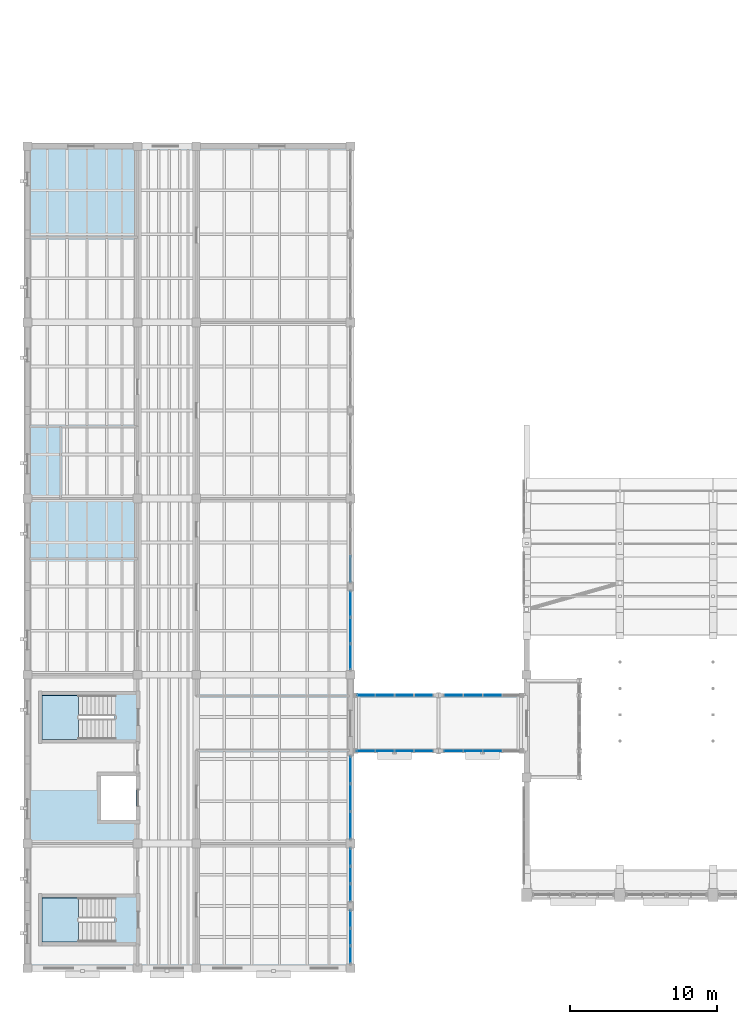
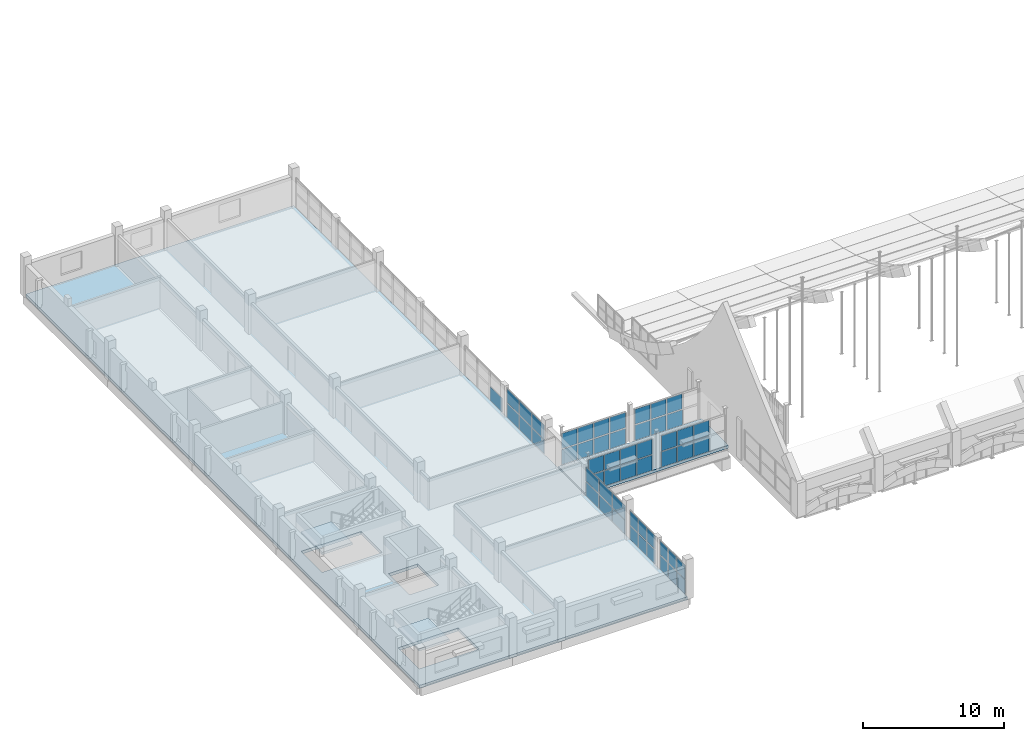
# One storey, part 47 of 77: 53 plates, 4 slabs, 11 elements without a shape of their own.
"""IFC4 building model written with IfcOpenShell, lengths in metres."""

from ifc_helpers import new_model, si_unit, direction, frame, origin, origin_2d, place, context, subcontext, project, spatial, polyline, rectangle, outline, extrude, material, layer, layer_set, type_object, element, aggregate, save


model = new_model("IFC4")

# Units and contexts
model_context = context("Model", 3, precision=1e-05, world=origin(), true_north=direction((0.0, 1.0)))
body_context = subcontext(model_context, "Body", "Model", "MODEL_VIEW")
ifc_project = project(units=[si_unit("LENGTHUNIT", "METRE"), si_unit("AREAUNIT", "SQUARE_METRE"), si_unit("VOLUMEUNIT", "CUBIC_METRE"), si_unit("PLANEANGLEUNIT", "RADIAN"), si_unit("MASSUNIT", "GRAM", prefix="KILO")], contexts=[model_context])

# Site, building, storey
site_placement = place(None, origin())
site = spatial("IfcSite", under=ifc_project, at=site_placement, CompositionType="ELEMENT")
building_placement = place(site_placement, origin())
building = spatial("IfcBuilding", under=site, at=building_placement, Name="Trellovar Central Fire Station", CompositionType="ELEMENT")
storey_placement = place(building_placement, frame((0.0, 0.0, 5.85009765625)))
storey = spatial("IfcBuildingStorey", under=building, at=storey_placement, Name="L02", CompositionType="ELEMENT", Elevation=5.85009765625)

# Curtain wall, plate
ifc_material_1 = material(Name="Thermally broken bronze anodized aluminum", Category="aluminium")
ifc_layer_1 = layer(ifc_material_1, 0.159912109375)
ifc_layer_set_1 = layer_set([ifc_layer_1], Name="Thermally broken bronze anodized aluminum")
curtain_wall_type_1 = type_object("IfcCurtainWallType", Name="CW-14", PredefinedType="NOTDEFINED", material=ifc_layer_set_1)
curtain_wall_1_placement = place(storey_placement, origin())
curtain_wall_1 = element("IfcCurtainWall", 1, at=curtain_wall_1_placement, inside=storey, type_object=curtain_wall_type_1, Name="Cloister skybridge south curtain wall", PredefinedType="NOTDEFINED")
ifc_material_2 = material(Name="Double low-E solar control insulated glazing", Category="glass")
ifc_layer_2 = layer(ifc_material_2, 0.031982421875)
ifc_layer_set_2 = layer_set([ifc_layer_2], Name="Double low-E solar control insulated glazing")
plate_type_1 = type_object("IfcPlateType", Name="CWP-GL1", PredefinedType="CURTAIN_PANEL", material=ifc_layer_set_2)
plate_1_placement = place(storey_placement, frame((26.66259765625, 23.800048828125, 1.433837890625), z_axis=(0.0, 0.0, 1.0), x_axis=(1.0, 0.0, 0.0)))
plate_1 = element("IfcPlate", 2, at=plate_1_placement, type_object=plate_type_1, Name="CW3-L02-0021 panel 3-2", PredefinedType="CURTAIN_PANEL", context=body_context, shape_type="SweptSolid", body=[
    extrude(rectangle(XDim=1.2451171875, YDim=0.031982421875, at=origin_2d()), origin(), (0.0, 0.0, 1.0), 1.31396484375),
])

curtain_wall_2_placement = place(storey_placement, origin())
curtain_wall_2 = element("IfcCurtainWall", 3, at=curtain_wall_2_placement, inside=storey, type_object=curtain_wall_type_1, Name="Cloister skybridge north curtain wall", PredefinedType="NOTDEFINED")
plate_2_placement = place(storey_placement, frame((26.66259765625, 27.60009765625, 1.433837890625), z_axis=(0.0, 0.0, 1.0), x_axis=(-1.0, 0.0, 0.0)))
plate_2 = element("IfcPlate", 4, at=plate_2_placement, type_object=plate_type_1, Name="CW3-L02-0022 panel 2-2", PredefinedType="CURTAIN_PANEL", context=body_context, shape_type="SweptSolid", body=[
    extrude(rectangle(XDim=1.2451171875, YDim=0.031982421875, at=origin_2d()), origin(), (0.0, 0.0, 1.0), 1.31396484375),
])

curtain_wall_3_placement = place(storey_placement, origin())
curtain_wall_3 = element("IfcCurtainWall", 5, at=curtain_wall_3_placement, inside=storey, type_object=curtain_wall_type_1, Name="Cloister skybridge south curtain wall", PredefinedType="NOTDEFINED")
plate_3_placement = place(storey_placement, frame((30.012451171875, 23.800048828125, 1.433837890625), z_axis=(0.0, 0.0, 1.0), x_axis=(1.0, 0.0, 0.0)))
plate_3 = element("IfcPlate", 6, at=plate_3_placement, type_object=plate_type_1, Name="CW3-L02-0023 panel 1-2", PredefinedType="CURTAIN_PANEL", context=body_context, shape_type="SweptSolid", body=[
    extrude(rectangle(XDim=1.2451171875, YDim=0.031982421875, at=origin_2d()), origin(), (0.0, 0.0, 1.0), 1.31396484375),
])

curtain_wall_4_placement = place(storey_placement, origin())
curtain_wall_4 = element("IfcCurtainWall", 7, at=curtain_wall_4_placement, inside=storey, type_object=curtain_wall_type_1, Name="Cloister skybridge north curtain wall", PredefinedType="NOTDEFINED")
plate_4_placement = place(storey_placement, frame((30.012451171875, 27.60009765625, 1.433837890625), z_axis=(0.0, 0.0, 1.0), x_axis=(-1.0, 0.0, 0.0)))
plate_4 = element("IfcPlate", 8, at=plate_4_placement, type_object=plate_type_1, Name="CW3-L02-0024 panel 4-2", PredefinedType="CURTAIN_PANEL", context=body_context, shape_type="SweptSolid", body=[
    extrude(rectangle(XDim=1.2451171875, YDim=0.031982421875, at=origin_2d()), origin(), (0.0, 0.0, 1.0), 1.31396484375),
])

ifc_material_3 = material(Name="Thermally broken bronze anodized aluminum", Category="aluminium")
ifc_layer_3 = layer(ifc_material_3, 0.159912109375)
ifc_layer_set_3 = layer_set([ifc_layer_3], Name="Thermally broken bronze anodized aluminum")
curtain_wall_type_2 = type_object("IfcCurtainWallType", Name="CW-01", PredefinedType="NOTDEFINED", material=ifc_layer_set_3)
curtain_wall_5_placement = place(storey_placement, origin())
curtain_wall_5 = element("IfcCurtainWall", 9, at=curtain_wall_5_placement, inside=storey, type_object=curtain_wall_type_2, Name="L02 curtain wall CW-1", PredefinedType="NOTDEFINED")
plate_5_placement = place(storey_placement, frame((23.0, 16.57080078125, 1.31494140625), z_axis=(0.0, 0.0, 1.0), x_axis=(0.0, 1.0, 0.0)))
plate_5 = element("IfcPlate", 10, at=plate_5_placement, type_object=plate_type_1, Name="CW3-L02-0037 panel 3-2", PredefinedType="CURTAIN_PANEL", context=body_context, shape_type="SweptSolid", body=[
    extrude(rectangle(XDim=1.12841796875, YDim=0.031982421875, at=origin_2d()), origin(), (0.0, 0.0, 1.0), 1.195068359375),
])

ifc_material_4 = material(Name="Thermally broken bronze anodized aluminum", Category="aluminium")
ifc_layer_4 = layer(ifc_material_4, 0.159912109375)
ifc_layer_set_4 = layer_set([ifc_layer_4], Name="Thermally broken bronze anodized aluminum")
curtain_wall_type_3 = type_object("IfcCurtainWallType", Name="CW-13", PredefinedType="NOTDEFINED", material=ifc_layer_set_4)
curtain_wall_6_placement = place(storey_placement, origin())
curtain_wall_6 = element("IfcCurtainWall", 11, at=curtain_wall_6_placement, inside=storey, type_object=curtain_wall_type_3, Name="L02 curtain wall CW-13", PredefinedType="NOTDEFINED")
plate_6_placement = place(storey_placement, frame((23.0, 20.625, 1.31494140625), z_axis=(0.0, 0.0, 1.0), x_axis=(0.0, 1.0, 0.0)))
plate_6 = element("IfcPlate", 12, at=plate_6_placement, type_object=plate_type_1, Name="CW3-L02-0038 panel 2-2", PredefinedType="CURTAIN_PANEL", context=body_context, shape_type="SweptSolid", body=[
    extrude(rectangle(XDim=1.803466796875, YDim=0.031982421875, at=origin_2d()), origin(), (0.0, 0.0, 1.0), 1.195068359375),
])

ifc_material_5 = material(Name="Thermally broken bronze anodized aluminum", Category="aluminium")
ifc_layer_5 = layer(ifc_material_5, 0.159912109375)
ifc_layer_set_5 = layer_set([ifc_layer_5], Name="Thermally broken bronze anodized aluminum")
curtain_wall_type_4 = type_object("IfcCurtainWallType", Name="CW-02", PredefinedType="NOTDEFINED", material=ifc_layer_set_5)
curtain_wall_7_placement = place(storey_placement, origin())
curtain_wall_7 = element("IfcCurtainWall", 13, at=curtain_wall_7_placement, inside=storey, type_object=curtain_wall_type_4, Name="L02 curtain wall CW-2", PredefinedType="NOTDEFINED")
plate_7_placement = place(storey_placement, frame((23.0, 30.220703125, 1.31494140625), z_axis=(0.0, 0.0, 1.0), x_axis=(0.0, 1.0, 0.0)))
plate_7 = element("IfcPlate", 14, at=plate_7_placement, type_object=plate_type_1, Name="CW3-L02-0039 panel 1-2", PredefinedType="CURTAIN_PANEL", context=body_context, shape_type="SweptSolid", body=[
    extrude(rectangle(XDim=1.711669921875, YDim=0.031982421875, at=origin_2d()), origin(), (0.0, 0.0, 1.0), 1.195068359375),
])

# Plate
ifc_material_6 = material(Name="Double low-E solar control insulated glazing", Category="glass")
ifc_layer_6 = layer(ifc_material_6, 0.035888671875)
ifc_layer_set_6 = layer_set([ifc_layer_6], Name="Double low-E solar control insulated glazing")
plate_type_2 = type_object("IfcPlateType", Name="CWP-GL2", PredefinedType="CURTAIN_PANEL", material=ifc_layer_set_6)
plate_8_placement = place(storey_placement, frame((27.987548828125, 23.800048828125, 1.433837890625), z_axis=(0.0, 0.0, 1.0), x_axis=(1.0, 0.0, 0.0)))
plate_8 = element("IfcPlate", 15, at=plate_8_placement, type_object=plate_type_2, Name="CW3-L02-0021 panel 4-2", PredefinedType="CURTAIN_PANEL", context=body_context, shape_type="SweptSolid", body=[
    extrude(rectangle(XDim=1.2451171875, YDim=0.035888671875, at=origin_2d()), origin(), (0.0, 0.0, 1.0), 1.31396484375),
])

plate_9_placement = place(storey_placement, frame((25.33740234375, 27.60009765625, 1.433837890625), z_axis=(0.0, 0.0, 1.0), x_axis=(-1.0, 0.0, 0.0)))
plate_9 = element("IfcPlate", 16, at=plate_9_placement, type_object=plate_type_2, Name="CW3-L02-0022 panel 3-2", PredefinedType="CURTAIN_PANEL", context=body_context, shape_type="SweptSolid", body=[
    extrude(rectangle(XDim=1.2451171875, YDim=0.035888671875, at=origin_2d()), origin(), (0.0, 0.0, 1.0), 1.31396484375),
])

plate_10_placement = place(storey_placement, frame((31.33740234375, 23.800048828125, 1.433837890625), z_axis=(0.0, 0.0, 1.0), x_axis=(1.0, 0.0, 0.0)))
plate_10 = element("IfcPlate", 17, at=plate_10_placement, type_object=plate_type_2, Name="CW3-L02-0023 panel 2-2", PredefinedType="CURTAIN_PANEL", context=body_context, shape_type="SweptSolid", body=[
    extrude(rectangle(XDim=1.2451171875, YDim=0.035888671875, at=origin_2d()), origin(), (0.0, 0.0, 1.0), 1.31396484375),
])

# Curtain wall, plate
curtain_wall_8_placement = place(storey_placement, origin())
curtain_wall_8 = element("IfcCurtainWall", 18, at=curtain_wall_8_placement, inside=storey, type_object=curtain_wall_type_2, Name="L02 curtain wall CW-1", PredefinedType="NOTDEFINED")
plate_11_placement = place(storey_placement, frame((23.0, 9.92919921875, 1.31494140625), z_axis=(0.0, 0.0, 1.0), x_axis=(0.0, 1.0, 0.0)))
plate_11 = element("IfcPlate", 19, at=plate_11_placement, type_object=plate_type_2, Name="CW3-L02-0036 panel 1-2", PredefinedType="CURTAIN_PANEL", context=body_context, shape_type="SweptSolid", body=[
    extrude(rectangle(XDim=1.12841796875, YDim=0.035888671875, at=origin_2d()), origin(), (0.0, 0.0, 1.0), 1.195068359375),
])

# Plate
plate_12_placement = place(storey_placement, frame((23.0, 22.50830078125, 1.31494140625), z_axis=(0.0, 0.0, 1.0), x_axis=(0.0, 1.0, 0.0)))
plate_12 = element("IfcPlate", 20, at=plate_12_placement, type_object=plate_type_2, Name="CW3-L02-0038 panel 3-2", PredefinedType="CURTAIN_PANEL", context=body_context, shape_type="SweptSolid", body=[
    extrude(rectangle(XDim=1.80322265625, YDim=0.035888671875, at=origin_2d()), origin(), (0.0, 0.0, 1.0), 1.195068359375),
])

plate_13_placement = place(storey_placement, frame((23.0, 32.012451171875, 1.31494140625), z_axis=(0.0, 0.0, 1.0), x_axis=(0.0, 1.0, 0.0)))
plate_13 = element("IfcPlate", 21, at=plate_13_placement, type_object=plate_type_2, Name="CW3-L02-0039 panel 2-2", PredefinedType="CURTAIN_PANEL", context=body_context, shape_type="SweptSolid", body=[
    extrude(rectangle(XDim=1.711669921875, YDim=0.035888671875, at=origin_2d()), origin(), (0.0, 0.0, 1.0), 1.195068359375),
])

ifc_material_7 = material(Name="Double low-E solar control insulated glazing", Category="glass")
ifc_layer_7 = layer(ifc_material_7, 0.033935546875)
ifc_layer_set_7 = layer_set([ifc_layer_7], Name="Double low-E solar control insulated glazing")
plate_type_3 = type_object("IfcPlateType", Name="CWP-GL3", PredefinedType="CURTAIN_PANEL", material=ifc_layer_set_7)
plate_14_placement = place(storey_placement, frame((24.012451171875, 23.800048828125, 1.433837890625), z_axis=(0.0, 0.0, 1.0), x_axis=(1.0, 0.0, 0.0)))
plate_14 = element("IfcPlate", 22, at=plate_14_placement, type_object=plate_type_3, Name="CW3-L02-0021 panel 1-2", PredefinedType="CURTAIN_PANEL", context=body_context, shape_type="SweptSolid", body=[
    extrude(rectangle(XDim=1.2451171875, YDim=0.033935546875, at=origin_2d()), origin(), (0.0, 0.0, 1.0), 1.31396484375),
])

plate_15_placement = place(storey_placement, frame((24.012451171875, 27.60009765625, 1.433837890625), z_axis=(0.0, 0.0, 1.0), x_axis=(-1.0, 0.0, 0.0)))
plate_15 = element("IfcPlate", 23, at=plate_15_placement, type_object=plate_type_3, Name="CW3-L02-0022 panel 4-2", PredefinedType="CURTAIN_PANEL", context=body_context, shape_type="SweptSolid", body=[
    extrude(rectangle(XDim=1.2451171875, YDim=0.033935546875, at=origin_2d()), origin(), (0.0, 0.0, 1.0), 1.31396484375),
])

plate_16_placement = place(storey_placement, frame((32.66259765625, 23.800048828125, 1.433837890625), z_axis=(0.0, 0.0, 1.0), x_axis=(1.0, 0.0, 0.0)))
plate_16 = element("IfcPlate", 24, at=plate_16_placement, type_object=plate_type_3, Name="CW3-L02-0023 panel 3-2", PredefinedType="CURTAIN_PANEL", context=body_context, shape_type="SweptSolid", body=[
    extrude(rectangle(XDim=1.2451171875, YDim=0.033935546875, at=origin_2d()), origin(), (0.0, 0.0, 1.0), 1.31396484375),
])

plate_17_placement = place(storey_placement, frame((32.66259765625, 27.60009765625, 1.433837890625), z_axis=(0.0, 0.0, 1.0), x_axis=(-1.0, 0.0, 0.0)))
plate_17 = element("IfcPlate", 25, at=plate_17_placement, type_object=plate_type_3, Name="CW3-L02-0024 panel 2-2", PredefinedType="CURTAIN_PANEL", context=body_context, shape_type="SweptSolid", body=[
    extrude(rectangle(XDim=1.2451171875, YDim=0.033935546875, at=origin_2d()), origin(), (0.0, 0.0, 1.0), 1.31396484375),
])

plate_18_placement = place(storey_placement, frame((23.0, 11.137451171875, 1.31494140625), z_axis=(0.0, 0.0, 1.0), x_axis=(0.0, 1.0, 0.0)))
plate_18 = element("IfcPlate", 26, at=plate_18_placement, type_object=plate_type_3, Name="CW3-L02-0036 panel 2-2", PredefinedType="CURTAIN_PANEL", context=body_context, shape_type="SweptSolid", body=[
    extrude(rectangle(XDim=1.12841796875, YDim=0.033935546875, at=origin_2d()), origin(), (0.0, 0.0, 1.0), 1.195068359375),
])

plate_19_placement = place(storey_placement, frame((23.0, 14.154296875, 1.31494140625), z_axis=(0.0, 0.0, 1.0), x_axis=(0.0, 1.0, 0.0)))
plate_19 = element("IfcPlate", 27, at=plate_19_placement, type_object=plate_type_3, Name="CW3-L02-0037 panel 1-2", PredefinedType="CURTAIN_PANEL", context=body_context, shape_type="SweptSolid", body=[
    extrude(rectangle(XDim=1.12841796875, YDim=0.033935546875, at=origin_2d()), origin(), (0.0, 0.0, 1.0), 1.195068359375),
])

plate_20_placement = place(storey_placement, frame((23.0, 33.80419921875, 1.31494140625), z_axis=(0.0, 0.0, 1.0), x_axis=(0.0, 1.0, 0.0)))
plate_20 = element("IfcPlate", 28, at=plate_20_placement, type_object=plate_type_3, Name="CW3-L02-0039 panel 3-2", PredefinedType="CURTAIN_PANEL", context=body_context, shape_type="SweptSolid", body=[
    extrude(rectangle(XDim=1.711669921875, YDim=0.033935546875, at=origin_2d()), origin(), (0.0, 0.0, 1.0), 1.195068359375),
])

ifc_material_8 = material(Name="Double low-E solar control insulated glazing", Category="glass")
ifc_layer_8 = layer(ifc_material_8, 0.030029296875)
ifc_layer_set_8 = layer_set([ifc_layer_8], Name="Double low-E solar control insulated glazing")
plate_type_4 = type_object("IfcPlateType", Name="CWP-GL4", PredefinedType="CURTAIN_PANEL", material=ifc_layer_set_8)
plate_21_placement = place(storey_placement, frame((25.33740234375, 23.800048828125, 1.433837890625), z_axis=(0.0, 0.0, 1.0), x_axis=(1.0, 0.0, 0.0)))
plate_21 = element("IfcPlate", 29, at=plate_21_placement, type_object=plate_type_4, Name="CW3-L02-0021 panel 2-2", PredefinedType="CURTAIN_PANEL", context=body_context, shape_type="SweptSolid", body=[
    extrude(rectangle(XDim=1.2451171875, YDim=0.030029296875, at=origin_2d()), origin(), (0.0, 0.0, 1.0), 1.31396484375),
])

plate_22_placement = place(storey_placement, frame((27.987548828125, 27.60009765625, 1.433837890625), z_axis=(0.0, 0.0, 1.0), x_axis=(-1.0, 0.0, 0.0)))
plate_22 = element("IfcPlate", 30, at=plate_22_placement, type_object=plate_type_4, Name="CW3-L02-0022 panel 1-2", PredefinedType="CURTAIN_PANEL", context=body_context, shape_type="SweptSolid", body=[
    extrude(rectangle(XDim=1.2451171875, YDim=0.030029296875, at=origin_2d()), origin(), (0.0, 0.0, 1.0), 1.31396484375),
])

plate_23_placement = place(storey_placement, frame((31.33740234375, 27.60009765625, 1.433837890625), z_axis=(0.0, 0.0, 1.0), x_axis=(-1.0, 0.0, 0.0)))
plate_23 = element("IfcPlate", 31, at=plate_23_placement, type_object=plate_type_4, Name="CW3-L02-0024 panel 3-2", PredefinedType="CURTAIN_PANEL", context=body_context, shape_type="SweptSolid", body=[
    extrude(rectangle(XDim=1.2451171875, YDim=0.030029296875, at=origin_2d()), origin(), (0.0, 0.0, 1.0), 1.31396484375),
])

plate_24_placement = place(storey_placement, frame((23.0, 12.345703125, 1.31494140625), z_axis=(0.0, 0.0, 1.0), x_axis=(0.0, 1.0, 0.0)))
plate_24 = element("IfcPlate", 32, at=plate_24_placement, type_object=plate_type_4, Name="CW3-L02-0036 panel 3-2", PredefinedType="CURTAIN_PANEL", context=body_context, shape_type="SweptSolid", body=[
    extrude(rectangle(XDim=1.12841796875, YDim=0.030029296875, at=origin_2d()), origin(), (0.0, 0.0, 1.0), 1.195068359375),
])

plate_25_placement = place(storey_placement, frame((23.0, 15.362548828125, 1.31494140625), z_axis=(0.0, 0.0, 1.0), x_axis=(0.0, 1.0, 0.0)))
plate_25 = element("IfcPlate", 33, at=plate_25_placement, type_object=plate_type_4, Name="CW3-L02-0037 panel 2-2", PredefinedType="CURTAIN_PANEL", context=body_context, shape_type="SweptSolid", body=[
    extrude(rectangle(XDim=1.12841796875, YDim=0.030029296875, at=origin_2d()), origin(), (0.0, 0.0, 1.0), 1.195068359375),
])

plate_26_placement = place(storey_placement, frame((23.0, 18.74169921875, 1.31494140625), z_axis=(0.0, 0.0, 1.0), x_axis=(0.0, 1.0, 0.0)))
plate_26 = element("IfcPlate", 34, at=plate_26_placement, type_object=plate_type_4, Name="CW3-L02-0038 panel 1-2", PredefinedType="CURTAIN_PANEL", context=body_context, shape_type="SweptSolid", body=[
    extrude(rectangle(XDim=1.80322265625, YDim=0.030029296875, at=origin_2d()), origin(), (0.0, 0.0, 1.0), 1.195068359375),
])

ifc_material_9 = material(Name="Glazed ceramic trencadis and terracotta panel", Category="masonry")
ifc_layer_9 = layer(ifc_material_9, 0.048095703125)
ifc_layer_set_9 = layer_set([ifc_layer_9], Name="Glazed ceramic trencadis and terracotta panel")
plate_type_5 = type_object("IfcPlateType", Name="CWP-SP1", PredefinedType="CURTAIN_PANEL", material=ifc_layer_set_9)
plate_27_placement = place(storey_placement, frame((25.33740234375, 23.800048828125, 0.0400390625), z_axis=(0.0, 0.0, 1.0), x_axis=(1.0, 0.0, 0.0)))
plate_27 = element("IfcPlate", 35, at=plate_27_placement, type_object=plate_type_5, Name="CW3-L02-0021 panel 2-1", PredefinedType="CURTAIN_PANEL", context=body_context, shape_type="SweptSolid", body=[
    extrude(rectangle(XDim=1.2451171875, YDim=0.048095703125, at=origin_2d()), origin(), (0.0, 0.0, 1.0), 1.31396484375),
])

plate_28_placement = place(storey_placement, frame((27.987548828125, 23.800048828125, 0.0400390625), z_axis=(0.0, 0.0, 1.0), x_axis=(1.0, 0.0, 0.0)))
plate_28 = element("IfcPlate", 36, at=plate_28_placement, type_object=plate_type_5, Name="CW3-L02-0021 panel 4-1", PredefinedType="CURTAIN_PANEL", context=body_context, shape_type="SweptSolid", body=[
    extrude(rectangle(XDim=1.2451171875, YDim=0.048095703125, at=origin_2d()), origin(), (0.0, 0.0, 1.0), 1.31396484375),
])

plate_29_placement = place(storey_placement, frame((27.987548828125, 27.60009765625, 0.0400390625), z_axis=(0.0, 0.0, 1.0), x_axis=(-1.0, 0.0, 0.0)))
plate_29 = element("IfcPlate", 37, at=plate_29_placement, type_object=plate_type_5, Name="CW3-L02-0022 panel 1-1", PredefinedType="CURTAIN_PANEL", context=body_context, shape_type="SweptSolid", body=[
    extrude(rectangle(XDim=1.2451171875, YDim=0.048095703125, at=origin_2d()), origin(), (0.0, 0.0, 1.0), 1.31396484375),
])

plate_30_placement = place(storey_placement, frame((25.33740234375, 27.60009765625, 0.0400390625), z_axis=(0.0, 0.0, 1.0), x_axis=(-1.0, 0.0, 0.0)))
plate_30 = element("IfcPlate", 38, at=plate_30_placement, type_object=plate_type_5, Name="CW3-L02-0022 panel 3-1", PredefinedType="CURTAIN_PANEL", context=body_context, shape_type="SweptSolid", body=[
    extrude(rectangle(XDim=1.2451171875, YDim=0.048095703125, at=origin_2d()), origin(), (0.0, 0.0, 1.0), 1.31396484375),
])

plate_31_placement = place(storey_placement, frame((31.33740234375, 23.800048828125, 0.0400390625), z_axis=(0.0, 0.0, 1.0), x_axis=(1.0, 0.0, 0.0)))
plate_31 = element("IfcPlate", 39, at=plate_31_placement, type_object=plate_type_5, Name="CW3-L02-0023 panel 2-1", PredefinedType="CURTAIN_PANEL", context=body_context, shape_type="SweptSolid", body=[
    extrude(rectangle(XDim=1.2451171875, YDim=0.048095703125, at=origin_2d()), origin(), (0.0, 0.0, 1.0), 1.31396484375),
])

plate_32_placement = place(storey_placement, frame((31.33740234375, 27.60009765625, 0.0400390625), z_axis=(0.0, 0.0, 1.0), x_axis=(-1.0, 0.0, 0.0)))
plate_32 = element("IfcPlate", 40, at=plate_32_placement, type_object=plate_type_5, Name="CW3-L02-0024 panel 3-1", PredefinedType="CURTAIN_PANEL", context=body_context, shape_type="SweptSolid", body=[
    extrude(rectangle(XDim=1.2451171875, YDim=0.048095703125, at=origin_2d()), origin(), (0.0, 0.0, 1.0), 1.31396484375),
])

plate_33_placement = place(storey_placement, frame((23.0, 9.92919921875, 0.0400390625), z_axis=(0.0, 0.0, 1.0), x_axis=(0.0, 1.0, 0.0)))
plate_33 = element("IfcPlate", 41, at=plate_33_placement, type_object=plate_type_5, Name="CW3-L02-0036 panel 1-1", PredefinedType="CURTAIN_PANEL", context=body_context, shape_type="SweptSolid", body=[
    extrude(rectangle(XDim=1.12841796875, YDim=0.048095703125, at=origin_2d()), origin(), (0.0, 0.0, 1.0), 1.195068359375),
])

plate_34_placement = place(storey_placement, frame((23.0, 12.345703125, 0.0400390625), z_axis=(0.0, 0.0, 1.0), x_axis=(0.0, 1.0, 0.0)))
plate_34 = element("IfcPlate", 42, at=plate_34_placement, type_object=plate_type_5, Name="CW3-L02-0036 panel 3-1", PredefinedType="CURTAIN_PANEL", context=body_context, shape_type="SweptSolid", body=[
    extrude(rectangle(XDim=1.12841796875, YDim=0.048095703125, at=origin_2d()), origin(), (0.0, 0.0, 1.0), 1.195068359375),
])

plate_35_placement = place(storey_placement, frame((23.0, 15.362548828125, 0.0400390625), z_axis=(0.0, 0.0, 1.0), x_axis=(0.0, 1.0, 0.0)))
plate_35 = element("IfcPlate", 43, at=plate_35_placement, type_object=plate_type_5, Name="CW3-L02-0037 panel 2-1", PredefinedType="CURTAIN_PANEL", context=body_context, shape_type="SweptSolid", body=[
    extrude(rectangle(XDim=1.12841796875, YDim=0.048095703125, at=origin_2d()), origin(), (0.0, 0.0, 1.0), 1.195068359375),
])

plate_36_placement = place(storey_placement, frame((23.0, 18.74169921875, 0.0400390625), z_axis=(0.0, 0.0, 1.0), x_axis=(0.0, 1.0, 0.0)))
plate_36 = element("IfcPlate", 44, at=plate_36_placement, type_object=plate_type_5, Name="CW3-L02-0038 panel 1-1", PredefinedType="CURTAIN_PANEL", context=body_context, shape_type="SweptSolid", body=[
    extrude(rectangle(XDim=1.80322265625, YDim=0.048095703125, at=origin_2d()), origin(), (0.0, 0.0, 1.0), 1.195068359375),
])

plate_37_placement = place(storey_placement, frame((23.0, 22.50830078125, 0.0400390625), z_axis=(0.0, 0.0, 1.0), x_axis=(0.0, 1.0, 0.0)))
plate_37 = element("IfcPlate", 45, at=plate_37_placement, type_object=plate_type_5, Name="CW3-L02-0038 panel 3-1", PredefinedType="CURTAIN_PANEL", context=body_context, shape_type="SweptSolid", body=[
    extrude(rectangle(XDim=1.80322265625, YDim=0.048095703125, at=origin_2d()), origin(), (0.0, 0.0, 1.0), 1.195068359375),
])

plate_38_placement = place(storey_placement, frame((23.0, 32.012451171875, 0.0400390625), z_axis=(0.0, 0.0, 1.0), x_axis=(0.0, 1.0, 0.0)))
plate_38 = element("IfcPlate", 46, at=plate_38_placement, type_object=plate_type_5, Name="CW3-L02-0039 panel 2-1", PredefinedType="CURTAIN_PANEL", context=body_context, shape_type="SweptSolid", body=[
    extrude(rectangle(XDim=1.711669921875, YDim=0.048095703125, at=origin_2d()), origin(), (0.0, 0.0, 1.0), 1.195068359375),
])

# Curtain wall, plate
curtain_wall_9_placement = place(storey_placement, origin())
curtain_wall_9 = element("IfcCurtainWall", 47, at=curtain_wall_9_placement, inside=storey, type_object=curtain_wall_type_4, Name="L02 curtain wall CW-2", PredefinedType="NOTDEFINED")
plate_39_placement = place(storey_placement, frame((23.0, 36.19580078125, 0.0400390625), z_axis=(0.0, 0.0, 1.0), x_axis=(0.0, 1.0, 0.0)))
plate_39 = element("IfcPlate", 48, at=plate_39_placement, type_object=plate_type_5, Name="CW3-L02-0040 panel 1-1", PredefinedType="CURTAIN_PANEL", context=body_context, shape_type="SweptSolid", body=[
    extrude(rectangle(XDim=1.711669921875, YDim=0.048095703125, at=origin_2d()), origin(), (0.0, 0.0, 1.0), 1.195068359375),
])
aggregate(curtain_wall_9, [plate_39])

# Plate
ifc_material_10 = material(Name="Glazed ceramic trencadis and terracotta panel", Category="masonry")
ifc_layer_10 = layer(ifc_material_10, 0.044921875)
ifc_layer_set_10 = layer_set([ifc_layer_10], Name="Glazed ceramic trencadis and terracotta panel")
plate_type_6 = type_object("IfcPlateType", Name="CWP-SP2", PredefinedType="CURTAIN_PANEL", material=ifc_layer_set_10)
plate_40_placement = place(storey_placement, frame((24.012451171875, 23.800048828125, 0.0400390625), z_axis=(0.0, 0.0, 1.0), x_axis=(1.0, 0.0, 0.0)))
plate_40 = element("IfcPlate", 49, at=plate_40_placement, type_object=plate_type_6, Name="CW3-L02-0021 panel 1-1", PredefinedType="CURTAIN_PANEL", context=body_context, shape_type="SweptSolid", body=[
    extrude(rectangle(XDim=1.2451171875, YDim=0.044921875, at=origin_2d()), origin(), (0.0, 0.0, 1.0), 1.31396484375),
])

plate_41_placement = place(storey_placement, frame((26.66259765625, 23.800048828125, 0.0400390625), z_axis=(0.0, 0.0, 1.0), x_axis=(1.0, 0.0, 0.0)))
plate_41 = element("IfcPlate", 50, at=plate_41_placement, type_object=plate_type_6, Name="CW3-L02-0021 panel 3-1", PredefinedType="CURTAIN_PANEL", context=body_context, shape_type="SweptSolid", body=[
    extrude(rectangle(XDim=1.2451171875, YDim=0.044921875, at=origin_2d()), origin(), (0.0, 0.0, 1.0), 1.31396484375),
])

aggregate(curtain_wall_1, [plate_40, plate_14, plate_27, plate_21, plate_41, plate_1, plate_28, plate_8])

plate_42_placement = place(storey_placement, frame((26.66259765625, 27.60009765625, 0.0400390625), z_axis=(0.0, 0.0, 1.0), x_axis=(-1.0, 0.0, 0.0)))
plate_42 = element("IfcPlate", 51, at=plate_42_placement, type_object=plate_type_6, Name="CW3-L02-0022 panel 2-1", PredefinedType="CURTAIN_PANEL", context=body_context, shape_type="SweptSolid", body=[
    extrude(rectangle(XDim=1.2451171875, YDim=0.044921875, at=origin_2d()), origin(), (0.0, 0.0, 1.0), 1.31396484375),
])

plate_43_placement = place(storey_placement, frame((24.012451171875, 27.60009765625, 0.0400390625), z_axis=(0.0, 0.0, 1.0), x_axis=(-1.0, 0.0, 0.0)))
plate_43 = element("IfcPlate", 52, at=plate_43_placement, type_object=plate_type_6, Name="CW3-L02-0022 panel 4-1", PredefinedType="CURTAIN_PANEL", context=body_context, shape_type="SweptSolid", body=[
    extrude(rectangle(XDim=1.2451171875, YDim=0.044921875, at=origin_2d()), origin(), (0.0, 0.0, 1.0), 1.31396484375),
])

aggregate(curtain_wall_2, [plate_29, plate_22, plate_42, plate_2, plate_30, plate_9, plate_43, plate_15])

plate_44_placement = place(storey_placement, frame((30.012451171875, 23.800048828125, 0.0400390625), z_axis=(0.0, 0.0, 1.0), x_axis=(1.0, 0.0, 0.0)))
plate_44 = element("IfcPlate", 53, at=plate_44_placement, type_object=plate_type_6, Name="CW3-L02-0023 panel 1-1", PredefinedType="CURTAIN_PANEL", context=body_context, shape_type="SweptSolid", body=[
    extrude(rectangle(XDim=1.2451171875, YDim=0.044921875, at=origin_2d()), origin(), (0.0, 0.0, 1.0), 1.31396484375),
])

plate_45_placement = place(storey_placement, frame((32.66259765625, 23.800048828125, 0.0400390625), z_axis=(0.0, 0.0, 1.0), x_axis=(1.0, 0.0, 0.0)))
plate_45 = element("IfcPlate", 54, at=plate_45_placement, type_object=plate_type_6, Name="CW3-L02-0023 panel 3-1", PredefinedType="CURTAIN_PANEL", context=body_context, shape_type="SweptSolid", body=[
    extrude(rectangle(XDim=1.2451171875, YDim=0.044921875, at=origin_2d()), origin(), (0.0, 0.0, 1.0), 1.31396484375),
])

aggregate(curtain_wall_3, [plate_44, plate_3, plate_31, plate_10, plate_45, plate_16])

plate_46_placement = place(storey_placement, frame((32.66259765625, 27.60009765625, 0.0400390625), z_axis=(0.0, 0.0, 1.0), x_axis=(-1.0, 0.0, 0.0)))
plate_46 = element("IfcPlate", 55, at=plate_46_placement, type_object=plate_type_6, Name="CW3-L02-0024 panel 2-1", PredefinedType="CURTAIN_PANEL", context=body_context, shape_type="SweptSolid", body=[
    extrude(rectangle(XDim=1.2451171875, YDim=0.044921875, at=origin_2d()), origin(), (0.0, 0.0, 1.0), 1.31396484375),
])

plate_47_placement = place(storey_placement, frame((30.012451171875, 27.60009765625, 0.0400390625), z_axis=(0.0, 0.0, 1.0), x_axis=(-1.0, 0.0, 0.0)))
plate_47 = element("IfcPlate", 56, at=plate_47_placement, type_object=plate_type_6, Name="CW3-L02-0024 panel 4-1", PredefinedType="CURTAIN_PANEL", context=body_context, shape_type="SweptSolid", body=[
    extrude(rectangle(XDim=1.2451171875, YDim=0.044921875, at=origin_2d()), origin(), (0.0, 0.0, 1.0), 1.31396484375),
])

aggregate(curtain_wall_4, [plate_46, plate_17, plate_32, plate_23, plate_47, plate_4])

plate_48_placement = place(storey_placement, frame((23.0, 11.137451171875, 0.0400390625), z_axis=(0.0, 0.0, 1.0), x_axis=(0.0, 1.0, 0.0)))
plate_48 = element("IfcPlate", 57, at=plate_48_placement, type_object=plate_type_6, Name="CW3-L02-0036 panel 2-1", PredefinedType="CURTAIN_PANEL", context=body_context, shape_type="SweptSolid", body=[
    extrude(rectangle(XDim=1.12841796875, YDim=0.044921875, at=origin_2d()), origin(), (0.0, 0.0, 1.0), 1.195068359375),
])

aggregate(curtain_wall_8, [plate_33, plate_11, plate_48, plate_18, plate_34, plate_24])

plate_49_placement = place(storey_placement, frame((23.0, 14.154296875, 0.0400390625), z_axis=(0.0, 0.0, 1.0), x_axis=(0.0, 1.0, 0.0)))
plate_49 = element("IfcPlate", 58, at=plate_49_placement, type_object=plate_type_6, Name="CW3-L02-0037 panel 1-1", PredefinedType="CURTAIN_PANEL", context=body_context, shape_type="SweptSolid", body=[
    extrude(rectangle(XDim=1.12841796875, YDim=0.044921875, at=origin_2d()), origin(), (0.0, 0.0, 1.0), 1.195068359375),
])

plate_50_placement = place(storey_placement, frame((23.0, 16.57080078125, 0.0400390625), z_axis=(0.0, 0.0, 1.0), x_axis=(0.0, 1.0, 0.0)))
plate_50 = element("IfcPlate", 59, at=plate_50_placement, type_object=plate_type_6, Name="CW3-L02-0037 panel 3-1", PredefinedType="CURTAIN_PANEL", context=body_context, shape_type="SweptSolid", body=[
    extrude(rectangle(XDim=1.12841796875, YDim=0.044921875, at=origin_2d()), origin(), (0.0, 0.0, 1.0), 1.195068359375),
])

aggregate(curtain_wall_5, [plate_49, plate_19, plate_35, plate_25, plate_50, plate_5])

plate_51_placement = place(storey_placement, frame((23.0, 20.625, 0.0400390625), z_axis=(0.0, 0.0, 1.0), x_axis=(0.0, 1.0, 0.0)))
plate_51 = element("IfcPlate", 60, at=plate_51_placement, type_object=plate_type_6, Name="CW3-L02-0038 panel 2-1", PredefinedType="CURTAIN_PANEL", context=body_context, shape_type="SweptSolid", body=[
    extrude(rectangle(XDim=1.803466796875, YDim=0.044921875, at=origin_2d()), origin(), (0.0, 0.0, 1.0), 1.195068359375),
])

aggregate(curtain_wall_6, [plate_36, plate_26, plate_51, plate_6, plate_37, plate_12])

plate_52_placement = place(storey_placement, frame((23.0, 30.220703125, 0.0400390625), z_axis=(0.0, 0.0, 1.0), x_axis=(0.0, 1.0, 0.0)))
plate_52 = element("IfcPlate", 61, at=plate_52_placement, type_object=plate_type_6, Name="CW3-L02-0039 panel 1-1", PredefinedType="CURTAIN_PANEL", context=body_context, shape_type="SweptSolid", body=[
    extrude(rectangle(XDim=1.711669921875, YDim=0.044921875, at=origin_2d()), origin(), (0.0, 0.0, 1.0), 1.195068359375),
])

plate_53_placement = place(storey_placement, frame((23.0, 33.80419921875, 0.0400390625), z_axis=(0.0, 0.0, 1.0), x_axis=(0.0, 1.0, 0.0)))
plate_53 = element("IfcPlate", 62, at=plate_53_placement, type_object=plate_type_6, Name="CW3-L02-0039 panel 3-1", PredefinedType="CURTAIN_PANEL", context=body_context, shape_type="SweptSolid", body=[
    extrude(rectangle(XDim=1.711669921875, YDim=0.044921875, at=origin_2d()), origin(), (0.0, 0.0, 1.0), 1.195068359375),
])

aggregate(curtain_wall_7, [plate_52, plate_7, plate_38, plate_13, plate_53, plate_20])

# Slabs
ifc_material_11 = material(Name="Concrete C40/50", Category="concrete")
ifc_layer_11 = layer(ifc_material_11, 0.239990234375)
ifc_layer_set_11 = layer_set([ifc_layer_11], Name="Concrete C40/50")
slab_type_1 = type_object("IfcSlabType", Name="SLB-FL240", PredefinedType="FLOOR", material=ifc_layer_set_11)
slab_1_placement = place(storey_placement, frame((0.0, 0.0, -0.239990234375)))
element("IfcSlab", 63, at=slab_1_placement, inside=storey, type_object=slab_type_1, Name="Courtyard cloister link bridge L02 deck slab", PredefinedType="FLOOR", context=body_context, shape_type="SweptSolid", body=[
    extrude(outline(polyline([(23.090087890625, 23.800048828125), (34.909912109375, 23.800048828125), (34.909912109375, 27.60009765625), (23.090087890625, 27.60009765625), (23.090087890625, 23.800048828125)])), origin(), (0.0, 0.0, 1.0), 0.239990234375),
])
ifc_material_12 = material(Name="Concrete C40/50", Category="concrete")
ifc_layer_12 = layer(ifc_material_12, 0.260009765625)
ifc_layer_set_12 = layer_set([ifc_layer_12], Name="Concrete C40/50")
slab_type_2 = type_object("IfcSlabType", Name="SLB-FL260", PredefinedType="FLOOR", material=ifc_layer_set_12)
slab_2_placement = place(storey_placement, frame((0.0, 0.0, -0.260009765625)))
element("IfcSlab", 64, at=slab_2_placement, inside=storey, type_object=slab_type_2, Name="V4 L02 structural floor slab", PredefinedType="FLOOR", context=body_context, shape_type="SweptSolid", body=[
    extrude(outline(polyline([(1.0, 9.0), (23.0, 9.0), (23.0, 65.0), (1.0, 65.0), (1.0, 9.0)]), holes=[polyline([(6.93994140625, 13.800048828125), (2.0, 13.800048828125), (2.0, 10.800048828125), (6.93994140625, 10.800048828125), (6.93994140625, 13.800048828125)]), polyline([(6.93994140625, 27.60009765625), (2.0, 27.60009765625), (2.0, 24.60009765625), (6.93994140625, 24.60009765625), (6.93994140625, 27.60009765625)]), polyline([(6.0, 19.10009765625), (8.39990234375, 19.10009765625), (8.39990234375, 22.10009765625), (6.0, 22.10009765625), (6.0, 19.10009765625)])]), origin(), (0.0, 0.0, 1.0), 0.260009765625),
])

# Stair, slab
ifc_material_13 = material(Name="Concrete C40/50", Category="concrete")
stair_type = type_object("IfcStairType", Name="ST-R1725", PredefinedType="HALF_TURN_STAIR", material=ifc_material_13)
stair_1_placement = place(storey_placement, origin())
stair_1 = element("IfcStair", 65, at=stair_1_placement, inside=storey, type_object=stair_type, Name="L02 Protected exit stair ST-03", PredefinedType="HALF_TURN_STAIR")
ifc_material_14 = material(Name="Concrete C40/50", Category="concrete")
ifc_layer_13 = layer(ifc_material_14, 0.199951171875)
ifc_layer_set_13 = layer_set([ifc_layer_13], Name="Concrete C40/50")
slab_type_3 = type_object("IfcSlabType", Name="SLB-LND", PredefinedType="LANDING", material=ifc_layer_set_13)
slab_3_placement = place(storey_placement, frame((0.0, 0.0, 1.52490234375)))
slab_3 = element("IfcSlab", 66, at=slab_3_placement, type_object=slab_type_3, Name="ST-03 landing 1", PredefinedType="LANDING", context=body_context, shape_type="SweptSolid", body=[
    extrude(outline(polyline([(4.47998046875, 13.800048828125), (2.0, 13.800048828125), (2.0, 10.800048828125), (4.47998046875, 10.800048828125), (4.47998046875, 13.800048828125)])), origin(), (0.0, 0.0, 1.0), 0.199951171875),
])
aggregate(stair_1, [slab_3])

stair_2_placement = place(storey_placement, origin())
stair_2 = element("IfcStair", 67, at=stair_2_placement, inside=storey, type_object=stair_type, Name="L02 Protected exit stair ST-04", PredefinedType="HALF_TURN_STAIR")
slab_4_placement = place(storey_placement, frame((0.0, 0.0, 1.52490234375)))
slab_4 = element("IfcSlab", 68, at=slab_4_placement, type_object=slab_type_3, Name="ST-04 landing 1", PredefinedType="LANDING", context=body_context, shape_type="SweptSolid", body=[
    extrude(outline(polyline([(4.47998046875, 27.60009765625), (2.0, 27.60009765625), (2.0, 24.60009765625), (4.47998046875, 24.60009765625), (4.47998046875, 27.60009765625)])), origin(), (0.0, 0.0, 1.0), 0.199951171875),
])
aggregate(stair_2, [slab_4])

save(model, "model.ifc")
